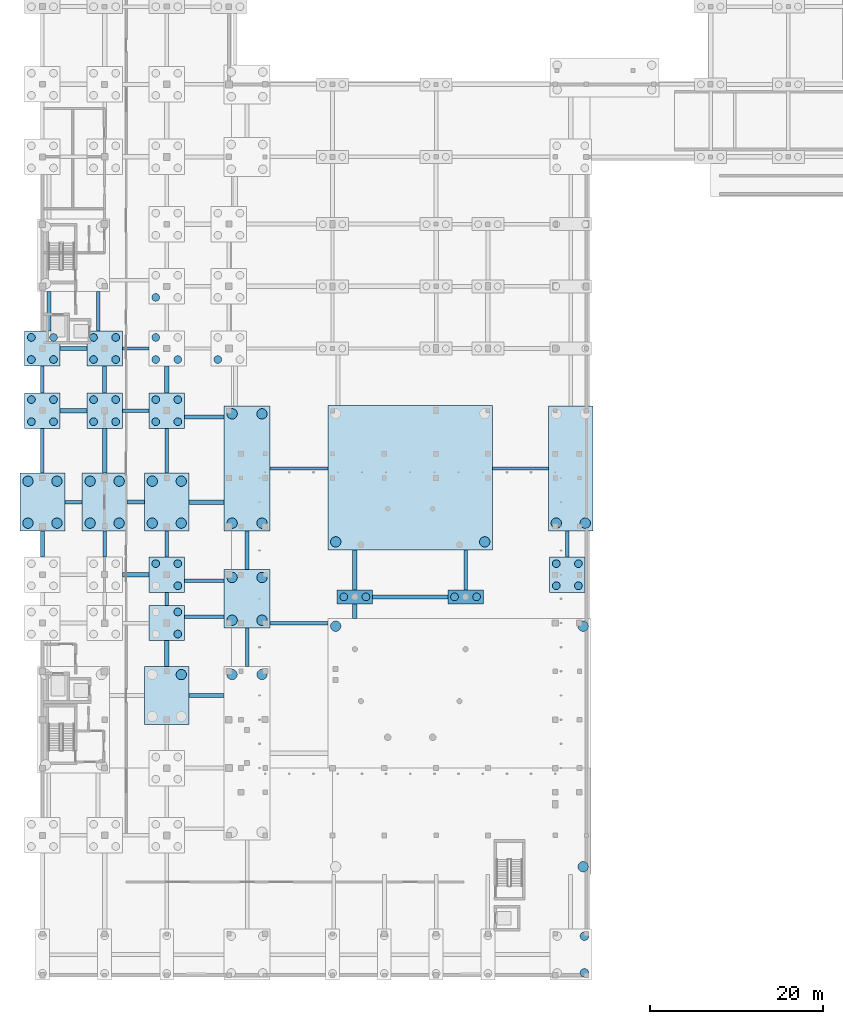
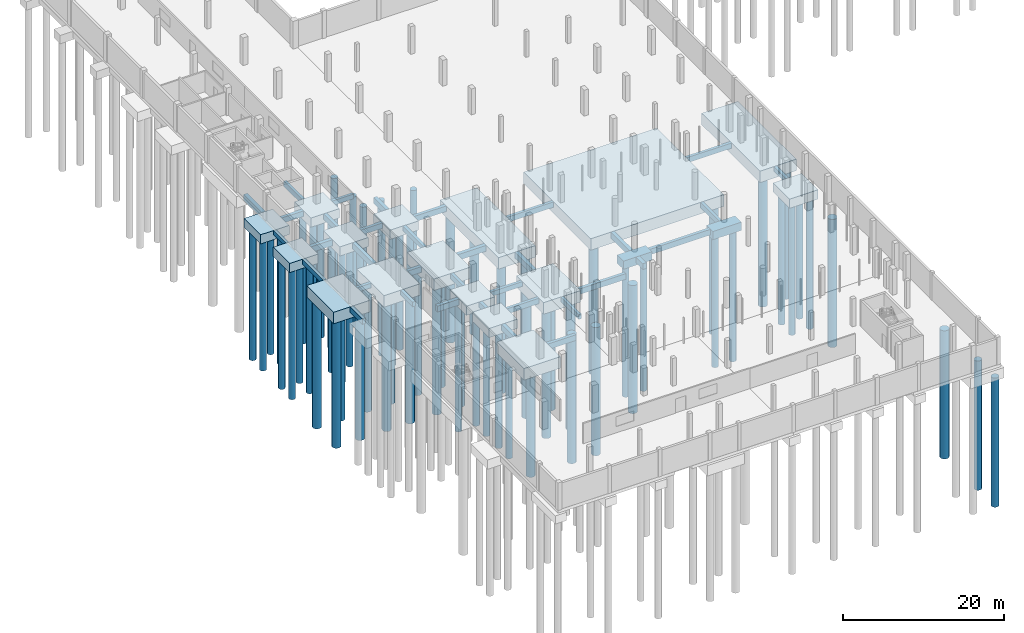
# One storey, part 2 of 34: 70 piles, 53 footings.
"""IFC4 building model written with IfcOpenShell, lengths in metres."""

from ifc_helpers import new_model, si_unit, direction, frame, origin, origin_2d, place, context, subcontext, project, spatial, rectangle, circle, extrude, material, material_profile, profile_set, type_object, element, save


model = new_model("IFC4")

# Units and contexts
model_context = context("Model", 3, precision=1e-05, world=origin(), true_north=direction((0.0, 1.0)))
body_context = subcontext(model_context, "Body", "Model", "MODEL_VIEW")
ifc_project = project(units=[si_unit("LENGTHUNIT", "METRE"), si_unit("AREAUNIT", "SQUARE_METRE"), si_unit("VOLUMEUNIT", "CUBIC_METRE"), si_unit("PLANEANGLEUNIT", "RADIAN"), si_unit("MASSUNIT", "GRAM", prefix="KILO")], contexts=[model_context])

# Site, building, storey
site_placement = place(None, origin())
site = spatial("IfcSite", under=ifc_project, at=site_placement, CompositionType="ELEMENT")
building_placement = place(site_placement, origin())
building = spatial("IfcBuilding", under=site, at=building_placement, Name="Vinh Khe Railworks Police Headquarters", CompositionType="ELEMENT")
storey_placement = place(building_placement, frame((0.0, 0.0, -4.199951171875)))
storey = spatial("IfcBuildingStorey", under=building, at=storey_placement, Name="B1", CompositionType="ELEMENT", Elevation=-4.199951171875)

# Piles
ifc_material = material(Name="Concrete C35/45 (B35)", Category="concrete")
ifc_material_profile_1 = material_profile(ifc_material, circle(Radius=0.5, at=origin_2d()), Name="BORED PILE D1000")
ifc_profile_set_1 = profile_set([ifc_material_profile_1], Name="Concrete C35/45 (B35)")
pile_type_1 = type_object("IfcPileType", Name="Bored Pile D1000", PredefinedType="BORED", material=ifc_profile_set_1)
for number, where, z_axis, x_axis, name in (
    (1, (63.3798828125, 1.469970703125, -1.949951171875), (0.0, 0.0, -1.0), (1.0, 0.0, 0.0), "Bored Pile BP100-235"),
    (2, (63.3798828125, 5.72998046875, -1.949951171875), (0.0, 0.0, -1.0), (1.0, 0.0, 0.0), "Bored Pile BP100-236"),
):
    element("IfcPile", number, at=place(storey_placement, frame(where, z_axis=z_axis, x_axis=x_axis)), inside=storey, type_object=pile_type_1, Name=name, PredefinedType="BORED", context=body_context, shape_type="SweptSolid", body=[
        extrude(circle(Radius=0.5, at=origin_2d()), origin(), (0.0, 0.0, 1.0), 19.60009765625),
    ])
ifc_material_profile_2 = material_profile(ifc_material, circle(Radius=0.60009765625, at=origin_2d()), Name="BORED PILE D1200")
ifc_profile_set_2 = profile_set([ifc_material_profile_2], Name="Concrete C35/45 (B35)")
pile_type_2 = type_object("IfcPileType", Name="Bored Pile D1200", PredefinedType="BORED", material=ifc_profile_set_2)
for number, where, z_axis, x_axis, name in (
    (3, (-1.080078125, 53.570068359375, -2.10009765625), (0.0, 0.0, -1.0), (1.0, 0.0, 0.0), "Bored Pile BP120-019"),
    (4, (-1.080078125, 58.429931640625, -2.10009765625), (0.0, 0.0, -1.0), (1.0, 0.0, 0.0), "Bored Pile BP120-020"),
    (5, (2.280029296875, 53.570068359375, -2.10009765625), (0.0, 0.0, -1.0), (1.0, 0.0, 0.0), "Bored Pile BP120-021"),
    (6, (2.280029296875, 58.429931640625, -2.10009765625), (0.0, 0.0, -1.0), (1.0, 0.0, 0.0), "Bored Pile BP120-022"),
    (7, (6.1201171875, 53.570068359375, -2.10009765625), (0.0, 0.0, -1.0), (1.0, 0.0, 0.0), "Bored Pile BP120-063"),
    (8, (6.1201171875, 58.429931640625, -2.10009765625), (0.0, 0.0, -1.0), (1.0, 0.0, 0.0), "Bored Pile BP120-064"),
    (9, (9.47998046875, 53.570068359375, -2.10009765625), (0.0, 0.0, -1.0), (1.0, 0.0, 0.0), "Bored Pile BP120-065"),
    (10, (9.47998046875, 58.429931640625, -2.10009765625), (0.0, 0.0, -1.0), (1.0, 0.0, 0.0), "Bored Pile BP120-066"),
    (11, (16.679931640625, 36.030029296875, -2.10009765625), (0.0, 0.0, -1.0), (1.0, 0.0, 0.0), "Bored Pile BP120-102"),
    (12, (13.320068359375, 53.570068359375, -2.10009765625), (0.0, 0.0, -1.0), (1.0, 0.0, 0.0), "Bored Pile BP120-111"),
    (13, (13.320068359375, 58.429931640625, -2.10009765625), (0.0, 0.0, -1.0), (1.0, 0.0, 0.0), "Bored Pile BP120-112"),
    (14, (16.679931640625, 53.570068359375, -2.10009765625), (0.0, 0.0, -1.0), (1.0, 0.0, 0.0), "Bored Pile BP120-113"),
    (15, (16.679931640625, 58.429931640625, -2.10009765625), (0.0, 0.0, -1.0), (1.0, 0.0, 0.0), "Bored Pile BP120-114"),
    (16, (22.570068359375, 36.030029296875, -2.10009765625), (0.0, 0.0, -1.0), (1.0, 0.0, 0.0), "Bored Pile BP120-150"),
    (17, (26.030029296875, 36.030029296875, -2.10009765625), (0.0, 0.0, -1.0), (1.0, 0.0, 0.0), "Bored Pile BP120-152"),
    (18, (22.570068359375, 42.320068359375, -2.10009765625), (0.0, 0.0, -1.0), (1.0, 0.0, 0.0), "Bored Pile BP120-153"),
    (19, (22.570068359375, 47.280029296875, -2.10009765625), (0.0, 0.0, -1.0), (1.0, 0.0, 0.0), "Bored Pile BP120-154"),
    (20, (26.030029296875, 42.320068359375, -2.10009765625), (0.0, 0.0, -1.0), (1.0, 0.0, 0.0), "Bored Pile BP120-155"),
    (21, (26.030029296875, 47.280029296875, -2.10009765625), (0.0, 0.0, -1.0), (1.0, 0.0, 0.0), "Bored Pile BP120-156"),
    (22, (22.570068359375, 53.570068359375, -2.10009765625), (0.0, 0.0, -1.0), (1.0, 0.0, 0.0), "Bored Pile BP120-157"),
    (23, (22.570068359375, 66.22998046875, -2.10009765625), (0.0, 0.0, -1.0), (1.0, 0.0, 0.0), "Bored Pile BP120-158"),
    (24, (26.030029296875, 53.570068359375, -2.10009765625), (0.0, 0.0, -1.0), (1.0, 0.0, 0.0), "Bored Pile BP120-159"),
    (25, (26.030029296875, 66.22998046875, -2.10009765625), (0.0, 0.0, -1.0), (1.0, 0.0, 0.0), "Bored Pile BP120-160"),
    (26, (34.570068359375, 41.6298828125, -2.10009765625), (0.0, 0.0, -1.0), (1.0, 0.0, 0.0), "Bored Pile BP120-190"),
    (27, (63.22998046875, 13.77001953125, -2.10009765625), (0.0, 0.0, -1.0), (1.0, 0.0, 0.0), "Bored Pile BP120-191"),
    (28, (63.22998046875, 41.6298828125, -2.10009765625), (0.0, 0.0, -1.0), (1.0, 0.0, 0.0), "Bored Pile BP120-192"),
    (29, (34.570068359375, 51.39794921875, -2.10009765625), (0.0, 0.0, -1.0), (1.0, 0.0, 0.0), "Bored Pile BP120-193"),
    (30, (51.830078125, 51.39794921875, -2.10009765625), (0.0, 0.0, -1.0), (1.0, 0.0, 0.0), "Bored Pile BP120-195"),
    (31, (60.1201171875, 53.570068359375, -2.10009765625), (0.0, 0.0, -1.0), (1.0, 0.0, 0.0), "Bored Pile BP120-241"),
    (32, (63.47998046875, 53.570068359375, -2.10009765625), (0.0, 0.0, -1.0), (1.0, 0.0, 0.0), "Bored Pile BP120-243"),
):
    element("IfcPile", number, at=place(storey_placement, frame(where, z_axis=z_axis, x_axis=x_axis)), inside=storey, type_object=pile_type_2, Name=name, PredefinedType="BORED", context=body_context, shape_type="SweptSolid", body=[
        extrude(circle(Radius=0.60009765625, at=origin_2d()), origin(), (0.0, 0.0, 1.0), 19.449951171875),
    ])
ifc_material_profile_3 = material_profile(ifc_material, circle(Radius=0.449951171875, at=origin_2d()), Name="BORED PILE D900")
ifc_profile_set_3 = profile_set([ifc_material_profile_3], Name="Concrete C35/45 (B35)")
pile_type_3 = type_object("IfcPileType", Name="Bored Pile D900", PredefinedType="BORED", material=ifc_profile_set_3)
for number, where, z_axis, x_axis, name in (
    (33, (-0.679931640625, 65.320068359375, -1.75), (0.0, 0.0, -1.0), (1.0, 0.0, 0.0), "Bored Pile BP90-023"),
    (34, (-0.679931640625, 67.8798828125, -1.75), (0.0, 0.0, -1.0), (1.0, 0.0, 0.0), "Bored Pile BP90-024"),
    (35, (1.8798828125, 65.320068359375, -1.75), (0.0, 0.0, -1.0), (1.0, 0.0, 0.0), "Bored Pile BP90-025"),
    (36, (1.8798828125, 67.8798828125, -1.75), (0.0, 0.0, -1.0), (1.0, 0.0, 0.0), "Bored Pile BP90-026"),
    (37, (-0.679931640625, 72.52001953125, -1.75), (0.0, 0.0, -1.0), (1.0, 0.0, 0.0), "Bored Pile BP90-027"),
    (38, (-0.679931640625, 75.080078125, -1.75), (0.0, 0.0, -1.0), (1.0, 0.0, 0.0), "Bored Pile BP90-028"),
    (39, (1.8798828125, 72.52001953125, -1.75), (0.0, 0.0, -1.0), (1.0, 0.0, 0.0), "Bored Pile BP90-029"),
    (40, (1.8798828125, 75.080078125, -1.75), (0.0, 0.0, -1.0), (1.0, 0.0, 0.0), "Bored Pile BP90-030"),
    (41, (6.52001953125, 65.320068359375, -1.75), (0.0, 0.0, -1.0), (1.0, 0.0, 0.0), "Bored Pile BP90-067"),
    (42, (6.52001953125, 67.8798828125, -1.75), (0.0, 0.0, -1.0), (1.0, 0.0, 0.0), "Bored Pile BP90-068"),
    (43, (9.080078125, 65.320068359375, -1.75), (0.0, 0.0, -1.0), (1.0, 0.0, 0.0), "Bored Pile BP90-069"),
    (44, (9.080078125, 67.8798828125, -1.75), (0.0, 0.0, -1.0), (1.0, 0.0, 0.0), "Bored Pile BP90-070"),
    (45, (6.52001953125, 72.52001953125, -1.75), (0.0, 0.0, -1.0), (1.0, 0.0, 0.0), "Bored Pile BP90-071"),
    (46, (6.52001953125, 75.080078125, -1.75), (0.0, 0.0, -1.0), (1.0, 0.0, 0.0), "Bored Pile BP90-072"),
    (47, (9.080078125, 72.52001953125, -1.75), (0.0, 0.0, -1.0), (1.0, 0.0, 0.0), "Bored Pile BP90-073"),
    (48, (9.080078125, 75.080078125, -1.75), (0.0, 0.0, -1.0), (1.0, 0.0, 0.0), "Bored Pile BP90-074"),
    (49, (16.280029296875, 40.719970703125, -1.75), (0.0, 0.0, -1.0), (1.0, 0.0, 0.0), "Bored Pile BP90-105"),
    (50, (16.280029296875, 43.280029296875, -1.75), (0.0, 0.0, -1.0), (1.0, 0.0, 0.0), "Bored Pile BP90-106"),
    (51, (13.719970703125, 48.8798828125, -1.75), (0.0, 0.0, -1.0), (1.0, 0.0, 0.0), "Bored Pile BP90-108"),
    (52, (16.280029296875, 46.320068359375, -1.75), (0.0, 0.0, -1.0), (1.0, 0.0, 0.0), "Bored Pile BP90-109"),
    (53, (16.280029296875, 48.8798828125, -1.75), (0.0, 0.0, -1.0), (1.0, 0.0, 0.0), "Bored Pile BP90-110"),
    (54, (13.719970703125, 65.320068359375, -1.75), (0.0, 0.0, -1.0), (1.0, 0.0, 0.0), "Bored Pile BP90-115"),
    (55, (13.719970703125, 67.8798828125, -1.75), (0.0, 0.0, -1.0), (1.0, 0.0, 0.0), "Bored Pile BP90-116"),
    (56, (16.280029296875, 65.320068359375, -1.75), (0.0, 0.0, -1.0), (1.0, 0.0, 0.0), "Bored Pile BP90-117"),
    (57, (16.280029296875, 67.8798828125, -1.75), (0.0, 0.0, -1.0), (1.0, 0.0, 0.0), "Bored Pile BP90-118"),
    (58, (13.719970703125, 72.52001953125, -1.75), (0.0, 0.0, -1.0), (1.0, 0.0, 0.0), "Bored Pile BP90-119"),
    (59, (13.719970703125, 75.080078125, -1.75), (0.0, 0.0, -1.0), (1.0, 0.0, 0.0), "Bored Pile BP90-120"),
    (60, (16.280029296875, 72.52001953125, -1.75), (0.0, 0.0, -1.0), (1.0, 0.0, 0.0), "Bored Pile BP90-121"),
    (61, (13.719970703125, 79.719970703125, -1.75), (0.0, 0.0, -1.0), (1.0, 0.0, 0.0), "Bored Pile BP90-123"),
    (62, (20.919921875, 72.52001953125, -1.75), (0.0, 0.0, -1.0), (1.0, 0.0, 0.0), "Bored Pile BP90-161"),
):
    element("IfcPile", number, at=place(storey_placement, frame(where, z_axis=z_axis, x_axis=x_axis)), inside=storey, type_object=pile_type_3, Name=name, PredefinedType="BORED", context=body_context, shape_type="SweptSolid", body=[
        extrude(circle(Radius=0.449951171875, at=origin_2d()), origin(), (0.0, 0.0, 1.0), 19.800048828125),
    ])
for number, where, z_axis, x_axis, name in (
    (63, (35.507568359375, 45.031982421875, -1.60009765625), (0.0, 0.0, -1.0), (1.0, 0.0, 0.0), "Bored Pile BP90-207"),
    (64, (38.067626953125, 45.031982421875, -1.60009765625), (0.0, 0.0, -1.0), (1.0, 0.0, 0.0), "Bored Pile BP90-208"),
    (65, (48.33251953125, 45.031982421875, -1.60009765625), (0.0, 0.0, -1.0), (1.0, 0.0, 0.0), "Bored Pile BP90-223"),
    (66, (50.892333984375, 45.031982421875, -1.60009765625), (0.0, 0.0, -1.0), (1.0, 0.0, 0.0), "Bored Pile BP90-224"),
):
    element("IfcPile", number, at=place(storey_placement, frame(where, z_axis=z_axis, x_axis=x_axis)), inside=storey, type_object=pile_type_3, Name=name, PredefinedType="BORED", context=body_context, shape_type="SweptSolid", body=[
        extrude(circle(Radius=0.449951171875, at=origin_2d()), origin(), (0.0, 0.0, 1.0), 19.949951171875),
    ])
for number, where, z_axis, x_axis, name in (
    (67, (60.1201171875, 46.320068359375, -1.75), (0.0, 0.0, -1.0), (1.0, 0.0, 0.0), "Bored Pile BP90-237"),
    (68, (60.1201171875, 48.8798828125, -1.75), (0.0, 0.0, -1.0), (1.0, 0.0, 0.0), "Bored Pile BP90-238"),
    (69, (62.679931640625, 46.320068359375, -1.75), (0.0, 0.0, -1.0), (1.0, 0.0, 0.0), "Bored Pile BP90-239"),
    (70, (62.679931640625, 48.8798828125, -1.75), (0.0, 0.0, -1.0), (1.0, 0.0, 0.0), "Bored Pile BP90-240"),
):
    element("IfcPile", number, at=place(storey_placement, frame(where, z_axis=z_axis, x_axis=x_axis)), inside=storey, type_object=pile_type_3, Name=name, PredefinedType="BORED", context=body_context, shape_type="SweptSolid", body=[
        extrude(circle(Radius=0.449951171875, at=origin_2d()), origin(), (0.0, 0.0, 1.0), 19.800048828125),
    ])

# Footings
ifc_material_profile_4 = material_profile(ifc_material, rectangle(XDim=0.39990234375, YDim=0.699951171875, at=origin_2d()), Name="RC 400x700")
ifc_profile_set_4 = profile_set([ifc_material_profile_4], Name="Concrete C35/45 (B35)")
footing_type_1 = type_object("IfcFootingType", Name="Ground Tie Beam 400x700", PredefinedType="FOOTING_BEAM", material=ifc_profile_set_4)
footing_1_placement = place(storey_placement, frame((3.199951171875, 56.0, -0.800048828125), z_axis=(1.0, 0.0, 0.0), x_axis=(0.0, 1.0, 0.0)))
element("IfcFooting", 71, at=footing_1_placement, inside=storey, type_object=footing_type_1, Name="Ground Tie Beam FTG-GB-B1-X011", PredefinedType="FOOTING_BEAM", context=body_context, shape_type="SweptSolid", body=[
    extrude(rectangle(XDim=0.39990234375, YDim=0.699951171875, at=origin_2d()), origin(), (0.0, 0.0, 1.0), 2.0),
])
footing_2_placement = place(storey_placement, frame((0.60009765625, 68.64990234375, -0.800048828125), z_axis=(0.0, 1.0, 0.0), x_axis=(-1.0, 0.0, 0.0)))
element("IfcFooting", 72, at=footing_2_placement, inside=storey, type_object=footing_type_1, Name="Ground Tie Beam FTG-GB-B1-Y014", PredefinedType="FOOTING_BEAM", context=body_context, shape_type="SweptSolid", body=[
    extrude(rectangle(XDim=0.39990234375, YDim=0.699951171875, at=origin_2d()), origin(), (0.0, 0.0, 1.0), 3.10009765625),
])
footing_3_placement = place(storey_placement, frame((7.800048828125, 49.64990234375, -0.800048828125), z_axis=(0.0, 1.0, 0.0), x_axis=(-1.0, 0.0, 0.0)))
element("IfcFooting", 73, at=footing_3_placement, inside=storey, type_object=footing_type_1, Name="Ground Tie Beam FTG-GB-B1-Y035", PredefinedType="FOOTING_BEAM", context=body_context, shape_type="SweptSolid", body=[
    extrude(rectangle(XDim=0.39990234375, YDim=0.699951171875, at=origin_2d()), origin(), (0.0, 0.0, 1.0), 3.0),
])
footing_4_placement = place(storey_placement, frame((9.85009765625, 73.800048828125, -0.800048828125), z_axis=(1.0, 0.0, 0.0), x_axis=(0.0, 1.0, 0.0)))
element("IfcFooting", 74, at=footing_4_placement, inside=storey, type_object=footing_type_1, Name="Ground Tie Beam FTG-GB-B1-X040", PredefinedType="FOOTING_BEAM", context=body_context, shape_type="SweptSolid", body=[
    extrude(rectangle(XDim=0.39990234375, YDim=0.699951171875, at=origin_2d()), origin(), (0.0, 0.0, 1.0), 3.099853515625),
])
footing_5_placement = place(storey_placement, frame((17.050048828125, 46.875, -0.800048828125), z_axis=(1.0, 0.0, 0.0), x_axis=(0.0, 1.0, 0.0)))
element("IfcFooting", 75, at=footing_5_placement, inside=storey, type_object=footing_type_1, Name="Ground Tie Beam FTG-GB-B1-X061", PredefinedType="FOOTING_BEAM", context=body_context, shape_type="SweptSolid", body=[
    extrude(rectangle(XDim=0.39990234375, YDim=0.699951171875, at=origin_2d()), origin(), (0.0, 0.0, 1.0), 4.599853515625),
])
footing_6_placement = place(storey_placement, frame((15.0, 59.35009765625, -0.800048828125), z_axis=(0.0, 1.0, 0.0), x_axis=(-1.0, 0.0, 0.0)))
element("IfcFooting", 76, at=footing_6_placement, inside=storey, type_object=footing_type_1, Name="Ground Tie Beam FTG-GB-B1-Y064", PredefinedType="FOOTING_BEAM", context=body_context, shape_type="SweptSolid", body=[
    extrude(rectangle(XDim=0.39990234375, YDim=0.699951171875, at=origin_2d()), origin(), (0.0, 0.0, 1.0), 5.199951171875),
])
footing_7_placement = place(storey_placement, frame((24.300048828125, 36.949951171875, -0.800048828125), z_axis=(0.0, 1.0, 0.0), x_axis=(-1.0, 0.0, 0.0)))
element("IfcFooting", 77, at=footing_7_placement, inside=storey, type_object=footing_type_1, Name="Ground Tie Beam FTG-GB-B1-Y085", PredefinedType="FOOTING_BEAM", context=body_context, shape_type="SweptSolid", body=[
    extrude(rectangle(XDim=0.39990234375, YDim=0.699951171875, at=origin_2d()), origin(), (0.0, 0.0, 1.0), 4.449951171875),
])
footing_8_placement = place(storey_placement, frame((61.39990234375, 49.64990234375, -0.800048828125), z_axis=(0.0, 1.0, 0.0), x_axis=(-1.0, 0.0, 0.0)))
element("IfcFooting", 78, at=footing_8_placement, inside=storey, type_object=footing_type_1, Name="Ground Tie Beam FTG-GB-B1-Y140", PredefinedType="FOOTING_BEAM", context=body_context, shape_type="SweptSolid", body=[
    extrude(rectangle(XDim=0.39990234375, YDim=0.699951171875, at=origin_2d()), origin(), (0.0, 0.0, 1.0), 3.0),
])
ifc_material_profile_5 = material_profile(ifc_material, rectangle(XDim=0.39990234375, YDim=0.800048828125, at=origin_2d()), Name="RC 400x800")
ifc_profile_set_5 = profile_set([ifc_material_profile_5], Name="Concrete C35/45 (B35)")
footing_type_2 = type_object("IfcFootingType", Name="Ground Tie Beam 400x800", PredefinedType="FOOTING_BEAM", material=ifc_profile_set_5)
footing_9_placement = place(storey_placement, frame((0.60009765625, 59.35009765625, -0.85009765625), z_axis=(0.0, 1.0, 0.0), x_axis=(-1.0, 0.0, 0.0)))
element("IfcFooting", 79, at=footing_9_placement, inside=storey, type_object=footing_type_2, Name="Ground Tie Beam FTG-GB-B1-Y012", PredefinedType="FOOTING_BEAM", context=body_context, shape_type="SweptSolid", body=[
    extrude(rectangle(XDim=0.39990234375, YDim=0.800048828125, at=origin_2d()), origin(), (0.0, 0.0, 1.0), 5.199951171875),
])
footing_10_placement = place(storey_placement, frame((9.85009765625, 66.60009765625, -0.85009765625), z_axis=(1.0, 0.0, 0.0), x_axis=(0.0, 1.0, 0.0)))
element("IfcFooting", 80, at=footing_10_placement, inside=storey, type_object=footing_type_2, Name="Ground Tie Beam FTG-GB-B1-X038", PredefinedType="FOOTING_BEAM", context=body_context, shape_type="SweptSolid", body=[
    extrude(rectangle(XDim=0.39990234375, YDim=0.800048828125, at=origin_2d()), origin(), (0.0, 0.0, 1.0), 3.099853515625),
])
footing_11_placement = place(storey_placement, frame((7.050048828125, 75.85009765625, -0.85009765625), z_axis=(0.0, 1.0, 0.0), x_axis=(-1.0, 0.0, 0.0)))
element("IfcFooting", 81, at=footing_11_placement, inside=storey, type_object=footing_type_2, Name="Ground Tie Beam FTG-GB-B1-Y041", PredefinedType="FOOTING_BEAM", context=body_context, shape_type="SweptSolid", body=[
    extrude(rectangle(XDim=0.39990234375, YDim=0.800048828125, at=origin_2d()), origin(), (0.0, 0.0, 1.0), 4.5498046875),
])
footing_12_placement = place(storey_placement, frame((17.050048828125, 42.72509765625, -0.85009765625), z_axis=(1.0, 0.0, 0.0), x_axis=(0.0, 1.0, 0.0)))
element("IfcFooting", 82, at=footing_12_placement, inside=storey, type_object=footing_type_2, Name="Ground Tie Beam FTG-GB-B1-X059", PredefinedType="FOOTING_BEAM", context=body_context, shape_type="SweptSolid", body=[
    extrude(rectangle(XDim=0.39990234375, YDim=0.800048828125, at=origin_2d()), origin(), (0.0, 0.0, 1.0), 4.599853515625),
])
footing_13_placement = place(storey_placement, frame((15.0, 49.64990234375, -0.85009765625), z_axis=(0.0, 1.0, 0.0), x_axis=(-1.0, 0.0, 0.0)))
element("IfcFooting", 83, at=footing_13_placement, inside=storey, type_object=footing_type_2, Name="Ground Tie Beam FTG-GB-B1-Y062", PredefinedType="FOOTING_BEAM", context=body_context, shape_type="SweptSolid", body=[
    extrude(rectangle(XDim=0.39990234375, YDim=0.800048828125, at=origin_2d()), origin(), (0.0, 0.0, 1.0), 3.0),
])
footing_14_placement = place(storey_placement, frame((26.949951171875, 59.89990234375, -0.85009765625), z_axis=(1.0, 0.0, 0.0), x_axis=(0.0, 1.0, 0.0)))
element("IfcFooting", 84, at=footing_14_placement, inside=storey, type_object=footing_type_2, Name="Ground Tie Beam FTG-GB-B1-X088", PredefinedType="FOOTING_BEAM", context=body_context, shape_type="SweptSolid", body=[
    extrude(rectangle(XDim=0.39990234375, YDim=0.800048828125, at=origin_2d()), origin(), (0.0, 0.0, 1.0), 6.699951171875),
])
footing_15_placement = place(storey_placement, frame((52.75, 59.89990234375, -0.85009765625), z_axis=(1.0, 0.0, 0.0), x_axis=(0.0, 1.0, 0.0)))
element("IfcFooting", 85, at=footing_15_placement, inside=storey, type_object=footing_type_2, Name="Ground Tie Beam FTG-GB-B1-X105", PredefinedType="FOOTING_BEAM", context=body_context, shape_type="SweptSolid", body=[
    extrude(rectangle(XDim=0.39990234375, YDim=0.800048828125, at=origin_2d()), origin(), (0.0, 0.0, 1.0), 6.449951171875),
])
footing_16_placement = place(storey_placement, frame((49.6123046875, 45.83203125, -0.85009765625), z_axis=(0.0, 1.0, 0.0), x_axis=(-1.0, 0.0, 0.0)))
element("IfcFooting", 86, at=footing_16_placement, inside=storey, type_object=footing_type_2, Name="Ground Tie Beam FTG-GB-B1-Y131", PredefinedType="FOOTING_BEAM", context=body_context, shape_type="SweptSolid", body=[
    extrude(rectangle(XDim=0.39990234375, YDim=0.800048828125, at=origin_2d()), origin(), (0.0, 0.0, 1.0), 4.64599609375),
])
ifc_material_profile_6 = material_profile(ifc_material, rectangle(XDim=0.449951171875, YDim=0.85009765625, at=origin_2d()), Name="RC 450x850")
ifc_profile_set_6 = profile_set([ifc_material_profile_6], Name="Concrete C35/45 (B35)")
footing_type_3 = type_object("IfcFootingType", Name="Ground Tie Beam 450x850", PredefinedType="FOOTING_BEAM", material=ifc_profile_set_6)
footing_17_placement = place(storey_placement, frame((0.60009765625, 49.64990234375, -0.875), z_axis=(0.0, 1.0, 0.0), x_axis=(-1.0, 0.0, 0.0)))
element("IfcFooting", 87, at=footing_17_placement, inside=storey, type_object=footing_type_3, Name="Ground Tie Beam FTG-GB-B1-Y010", PredefinedType="FOOTING_BEAM", context=body_context, shape_type="SweptSolid", body=[
    extrude(rectangle(XDim=0.449951171875, YDim=0.85009765625, at=origin_2d()), origin(), (0.0, 0.0, 1.0), 3.0),
])
footing_18_placement = place(storey_placement, frame((2.64990234375, 73.800048828125, -0.875), z_axis=(1.0, 0.0, 0.0), x_axis=(0.0, 1.0, 0.0)))
element("IfcFooting", 88, at=footing_18_placement, inside=storey, type_object=footing_type_3, Name="Ground Tie Beam FTG-GB-B1-X015", PredefinedType="FOOTING_BEAM", context=body_context, shape_type="SweptSolid", body=[
    extrude(rectangle(XDim=0.449951171875, YDim=0.85009765625, at=origin_2d()), origin(), (0.0, 0.0, 1.0), 3.10009765625),
])
footing_19_placement = place(storey_placement, frame((10.39990234375, 56.0, -0.875), z_axis=(1.0, 0.0, 0.0), x_axis=(0.0, 1.0, 0.0)))
element("IfcFooting", 89, at=footing_19_placement, inside=storey, type_object=footing_type_3, Name="Ground Tie Beam FTG-GB-B1-X036", PredefinedType="FOOTING_BEAM", context=body_context, shape_type="SweptSolid", body=[
    extrude(rectangle(XDim=0.449951171875, YDim=0.85009765625, at=origin_2d()), origin(), (0.0, 0.0, 1.0), 2.0),
])
footing_20_placement = place(storey_placement, frame((7.800048828125, 68.64990234375, -0.875), z_axis=(0.0, 1.0, 0.0), x_axis=(-1.0, 0.0, 0.0)))
element("IfcFooting", 90, at=footing_20_placement, inside=storey, type_object=footing_type_3, Name="Ground Tie Beam FTG-GB-B1-Y039", PredefinedType="FOOTING_BEAM", context=body_context, shape_type="SweptSolid", body=[
    extrude(rectangle(XDim=0.449951171875, YDim=0.85009765625, at=origin_2d()), origin(), (0.0, 0.0, 1.0), 3.10009765625),
])
footing_21_placement = place(storey_placement, frame((17.60009765625, 33.60009765625, -0.875), z_axis=(1.0, 0.0, 0.0), x_axis=(0.0, 1.0, 0.0)))
element("IfcFooting", 91, at=footing_21_placement, inside=storey, type_object=footing_type_3, Name="Ground Tie Beam FTG-GB-B1-X057", PredefinedType="FOOTING_BEAM", context=body_context, shape_type="SweptSolid", body=[
    extrude(rectangle(XDim=0.449951171875, YDim=0.85009765625, at=origin_2d()), origin(), (0.0, 0.0, 1.0), 4.0498046875),
])
footing_22_placement = place(storey_placement, frame((15.0, 44.050048828125, -0.875), z_axis=(0.0, 1.0, 0.0), x_axis=(-1.0, 0.0, 0.0)))
element("IfcFooting", 92, at=footing_22_placement, inside=storey, type_object=footing_type_3, Name="Ground Tie Beam FTG-GB-B1-Y060", PredefinedType="FOOTING_BEAM", context=body_context, shape_type="SweptSolid", body=[
    extrude(rectangle(XDim=0.449951171875, YDim=0.85009765625, at=origin_2d()), origin(), (0.0, 0.0, 1.0), 1.5),
])
footing_23_placement = place(storey_placement, frame((17.050048828125, 65.85009765625, -0.875), z_axis=(1.0, 0.0, 0.0), x_axis=(0.0, 1.0, 0.0)))
element("IfcFooting", 93, at=footing_23_placement, inside=storey, type_object=footing_type_3, Name="Ground Tie Beam FTG-GB-B1-X065", PredefinedType="FOOTING_BEAM", context=body_context, shape_type="SweptSolid", body=[
    extrude(rectangle(XDim=0.449951171875, YDim=0.85009765625, at=origin_2d()), origin(), (0.0, 0.0, 1.0), 4.599853515625),
])
footing_24_placement = place(storey_placement, frame((26.949951171875, 41.97509765625, -0.875), z_axis=(1.0, 0.0, 0.0), x_axis=(0.0, 1.0, 0.0)))
element("IfcFooting", 94, at=footing_24_placement, inside=storey, type_object=footing_type_3, Name="Ground Tie Beam FTG-GB-B1-X086", PredefinedType="FOOTING_BEAM", context=body_context, shape_type="SweptSolid", body=[
    extrude(rectangle(XDim=0.449951171875, YDim=0.85009765625, at=origin_2d()), origin(), (0.0, 0.0, 1.0), 6.699951171875),
])
footing_25_placement = place(storey_placement, frame((38.837646484375, 45.031982421875, -0.875), z_axis=(1.0, 0.0, 0.0), x_axis=(0.0, 1.0, 0.0)))
element("IfcFooting", 95, at=footing_25_placement, inside=storey, type_object=footing_type_3, Name="Ground Tie Beam FTG-GB-B1-X116", PredefinedType="FOOTING_BEAM", context=body_context, shape_type="SweptSolid", body=[
    extrude(rectangle(XDim=0.449951171875, YDim=0.85009765625, at=origin_2d()), origin(), (0.0, 0.0, 1.0), 8.724853515625),
])
ifc_material_profile_7 = material_profile(ifc_material, rectangle(XDim=0.5, YDim=0.89990234375, at=origin_2d()), Name="RC 500x900")
ifc_profile_set_7 = profile_set([ifc_material_profile_7], Name="Concrete C35/45 (B35)")
footing_type_4 = type_object("IfcFootingType", Name="Ground Tie Beam 500x900", PredefinedType="FOOTING_BEAM", material=ifc_profile_set_7)
footing_26_placement = place(storey_placement, frame((2.64990234375, 66.60009765625, -0.900146484375), z_axis=(1.0, 0.0, 0.0), x_axis=(0.0, 1.0, 0.0)))
element("IfcFooting", 96, at=footing_26_placement, inside=storey, type_object=footing_type_4, Name="Ground Tie Beam FTG-GB-B1-X013", PredefinedType="FOOTING_BEAM", context=body_context, shape_type="SweptSolid", body=[
    extrude(rectangle(XDim=0.5, YDim=0.89990234375, at=origin_2d()), origin(), (0.0, 0.0, 1.0), 3.10009765625),
])
footing_27_placement = place(storey_placement, frame((1.35009765625, 75.85009765625, -0.900146484375), z_axis=(0.0, 1.0, 0.0), x_axis=(-1.0, 0.0, 0.0)))
element("IfcFooting", 97, at=footing_27_placement, inside=storey, type_object=footing_type_4, Name="Ground Tie Beam FTG-GB-B1-Y016", PredefinedType="FOOTING_BEAM", context=body_context, shape_type="SweptSolid", body=[
    extrude(rectangle(XDim=0.5, YDim=0.89990234375, at=origin_2d()), origin(), (0.0, 0.0, 1.0), 4.5498046875),
])
footing_28_placement = place(storey_placement, frame((9.85009765625, 47.60009765625, -0.900146484375), z_axis=(1.0, 0.0, 0.0), x_axis=(0.0, 1.0, 0.0)))
element("IfcFooting", 98, at=footing_28_placement, inside=storey, type_object=footing_type_4, Name="Ground Tie Beam FTG-GB-B1-X034", PredefinedType="FOOTING_BEAM", context=body_context, shape_type="SweptSolid", body=[
    extrude(rectangle(XDim=0.5, YDim=0.89990234375, at=origin_2d()), origin(), (0.0, 0.0, 1.0), 3.099853515625),
])
footing_29_placement = place(storey_placement, frame((7.800048828125, 59.35009765625, -0.900146484375), z_axis=(0.0, 1.0, 0.0), x_axis=(-1.0, 0.0, 0.0)))
element("IfcFooting", 99, at=footing_29_placement, inside=storey, type_object=footing_type_4, Name="Ground Tie Beam FTG-GB-B1-Y037", PredefinedType="FOOTING_BEAM", context=body_context, shape_type="SweptSolid", body=[
    extrude(rectangle(XDim=0.5, YDim=0.89990234375, at=origin_2d()), origin(), (0.0, 0.0, 1.0), 5.199951171875),
])
footing_30_placement = place(storey_placement, frame((15.0, 36.949951171875, -0.900146484375), z_axis=(0.0, 1.0, 0.0), x_axis=(-1.0, 0.0, 0.0)))
element("IfcFooting", 100, at=footing_30_placement, inside=storey, type_object=footing_type_4, Name="Ground Tie Beam FTG-GB-B1-Y058", PredefinedType="FOOTING_BEAM", context=body_context, shape_type="SweptSolid", body=[
    extrude(rectangle(XDim=0.5, YDim=0.89990234375, at=origin_2d()), origin(), (0.0, 0.0, 1.0), 3.0),
])
footing_31_placement = place(storey_placement, frame((17.60009765625, 56.0, -0.900146484375), z_axis=(1.0, 0.0, 0.0), x_axis=(0.0, 1.0, 0.0)))
element("IfcFooting", 101, at=footing_31_placement, inside=storey, type_object=footing_type_4, Name="Ground Tie Beam FTG-GB-B1-X063", PredefinedType="FOOTING_BEAM", context=body_context, shape_type="SweptSolid", body=[
    extrude(rectangle(XDim=0.5, YDim=0.89990234375, at=origin_2d()), origin(), (0.0, 0.0, 1.0), 4.0498046875),
])
footing_32_placement = place(storey_placement, frame((15.0, 68.64990234375, -0.900146484375), z_axis=(0.0, 1.0, 0.0), x_axis=(-1.0, 0.0, 0.0)))
element("IfcFooting", 102, at=footing_32_placement, inside=storey, type_object=footing_type_4, Name="Ground Tie Beam FTG-GB-B1-Y066", PredefinedType="FOOTING_BEAM", context=body_context, shape_type="SweptSolid", body=[
    extrude(rectangle(XDim=0.5, YDim=0.89990234375, at=origin_2d()), origin(), (0.0, 0.0, 1.0), 3.10009765625),
])
footing_33_placement = place(storey_placement, frame((24.300048828125, 48.199951171875, -0.900146484375), z_axis=(0.0, 1.0, 0.0), x_axis=(-1.0, 0.0, 0.0)))
element("IfcFooting", 103, at=footing_33_placement, inside=storey, type_object=footing_type_4, Name="Ground Tie Beam FTG-GB-B1-Y087", PredefinedType="FOOTING_BEAM", context=body_context, shape_type="SweptSolid", body=[
    extrude(rectangle(XDim=0.5, YDim=0.89990234375, at=origin_2d()), origin(), (0.0, 0.0, 1.0), 4.449951171875),
])
footing_34_placement = place(storey_placement, frame((36.78759765625, 42.550048828125, -0.900146484375), z_axis=(0.0, 1.0, 0.0), x_axis=(-1.0, 0.0, 0.0)))
element("IfcFooting", 104, at=footing_34_placement, inside=storey, type_object=footing_type_4, Name="Ground Tie Beam FTG-GB-B1-Y104", PredefinedType="FOOTING_BEAM", context=body_context, shape_type="SweptSolid", body=[
    extrude(rectangle(XDim=0.5, YDim=0.89990234375, at=origin_2d()), origin(), (0.0, 0.0, 1.0), 1.68212890625),
])
footing_35_placement = place(storey_placement, frame((36.78759765625, 45.83203125, -0.900146484375), z_axis=(0.0, 1.0, 0.0), x_axis=(-1.0, 0.0, 0.0)))
element("IfcFooting", 105, at=footing_35_placement, inside=storey, type_object=footing_type_4, Name="Ground Tie Beam FTG-GB-B1-Y117", PredefinedType="FOOTING_BEAM", context=body_context, shape_type="SweptSolid", body=[
    extrude(rectangle(XDim=0.5, YDim=0.89990234375, at=origin_2d()), origin(), (0.0, 0.0, 1.0), 4.64599609375),
])
footing_type_5 = type_object("IfcFootingType", Name="Pile Cap 19100x16700x1750", PredefinedType="PILE_CAP", material=ifc_material)
footing_36_placement = place(storey_placement, frame((43.199951171875, 58.827880859375, -2.199951171875), z_axis=(0.0, 0.0, 1.0), x_axis=(1.0, 0.0, 0.0)))
element("IfcFooting", 106, at=footing_36_placement, inside=storey, type_object=footing_type_5, Name="Pile Cap PC-057", PredefinedType="PILE_CAP", context=body_context, shape_type="SweptSolid", body=[
    extrude(rectangle(XDim=19.10009765625, YDim=16.699951171875, at=origin_2d()), origin(), (0.0, 0.0, 1.0), 1.75),
])
footing_type_6 = type_object("IfcFootingType", Name="Pile Cap 4100x1600x1250", PredefinedType="PILE_CAP", material=ifc_material)
for number, where, z_axis, x_axis, name in (
    (107, (36.78759765625, 45.031982421875, -1.699951171875), (0.0, 0.0, 1.0), (1.0, 0.0, 0.0), "Pile Cap PC-063"),
    (108, (49.6123046875, 45.031982421875, -1.699951171875), (0.0, 0.0, 1.0), (1.0, 0.0, 0.0), "Pile Cap PC-071"),
):
    element("IfcFooting", number, at=place(storey_placement, frame(where, z_axis=z_axis, x_axis=x_axis)), inside=storey, type_object=footing_type_6, Name=name, PredefinedType="PILE_CAP", context=body_context, shape_type="SweptSolid", body=[
        extrude(rectangle(XDim=4.10009765625, YDim=1.60009765625, at=origin_2d()), origin(), (0.0, 0.0, 1.0), 1.25),
    ])
footing_type_7 = type_object("IfcFootingType", Name="Pile Cap 4100x4100x1400", PredefinedType="PILE_CAP", material=ifc_material)
for number, where, z_axis, x_axis, name in (
    (109, (0.60009765625, 66.60009765625, -1.85009765625), (0.0, 0.0, 1.0), (1.0, 0.0, 0.0), "Pile Cap PC-007"),
    (110, (0.60009765625, 73.800048828125, -1.85009765625), (0.0, 0.0, 1.0), (1.0, 0.0, 0.0), "Pile Cap PC-008"),
    (111, (7.800048828125, 66.60009765625, -1.85009765625), (0.0, 0.0, 1.0), (1.0, 0.0, 0.0), "Pile Cap PC-020"),
    (112, (7.800048828125, 73.800048828125, -1.85009765625), (0.0, 0.0, 1.0), (1.0, 0.0, 0.0), "Pile Cap PC-021"),
    (113, (15.0, 42.0, -1.85009765625), (0.0, 0.0, 1.0), (1.0, 0.0, 0.0), "Pile Cap PC-031"),
    (114, (15.0, 47.60009765625, -1.85009765625), (0.0, 0.0, 1.0), (1.0, 0.0, 0.0), "Pile Cap PC-032"),
    (115, (15.0, 66.60009765625, -1.85009765625), (0.0, 0.0, 1.0), (1.0, 0.0, 0.0), "Pile Cap PC-034"),
    (116, (61.39990234375, 47.60009765625, -1.85009765625), (0.0, 0.0, 1.0), (1.0, 0.0, 0.0), "Pile Cap PC-077"),
):
    element("IfcFooting", number, at=place(storey_placement, frame(where, z_axis=z_axis, x_axis=x_axis)), inside=storey, type_object=footing_type_7, Name=name, PredefinedType="PILE_CAP", context=body_context, shape_type="SweptSolid", body=[
        extrude(rectangle(XDim=4.10009765625, YDim=4.10009765625, at=origin_2d()), origin(), (0.0, 0.0, 1.0), 1.39990234375),
    ])
footing_type_8 = type_object("IfcFootingType", Name="Pile Cap 5200x14500x1750", PredefinedType="PILE_CAP", material=ifc_material)
footing_37_placement = place(storey_placement, frame((61.800048828125, 59.89990234375, -2.199951171875), z_axis=(0.0, 0.0, 1.0), x_axis=(1.0, 0.0, 0.0)))
element("IfcFooting", 117, at=footing_37_placement, inside=storey, type_object=footing_type_8, Name="Pile Cap PC-078", PredefinedType="PILE_CAP", context=body_context, shape_type="SweptSolid", body=[
    extrude(rectangle(XDim=5.199951171875, YDim=14.5, at=origin_2d()), origin(), (0.0, 0.0, 1.0), 1.75),
])
footing_type_9 = type_object("IfcFootingType", Name="Pile Cap 5200x6700x1750", PredefinedType="PILE_CAP", material=ifc_material)
for number, where, z_axis, x_axis, name in (
    (118, (0.60009765625, 56.0, -2.199951171875), (0.0, 0.0, 1.0), (1.0, 0.0, 0.0), "Pile Cap PC-006"),
    (119, (7.800048828125, 56.0, -2.199951171875), (0.0, 0.0, 1.0), (1.0, 0.0, 0.0), "Pile Cap PC-019"),
    (120, (15.0, 33.60009765625, -2.199951171875), (0.0, 0.0, 1.0), (1.0, 0.0, 0.0), "Pile Cap PC-030"),
    (121, (15.0, 56.0, -2.199951171875), (0.0, 0.0, 1.0), (1.0, 0.0, 0.0), "Pile Cap PC-033"),
):
    element("IfcFooting", number, at=place(storey_placement, frame(where, z_axis=z_axis, x_axis=x_axis)), inside=storey, type_object=footing_type_9, Name=name, PredefinedType="PILE_CAP", context=body_context, shape_type="SweptSolid", body=[
        extrude(rectangle(XDim=5.199951171875, YDim=6.699951171875, at=origin_2d()), origin(), (0.0, 0.0, 1.0), 1.75),
    ])
footing_type_10 = type_object("IfcFootingType", Name="Pile Cap 5300x14500x1750", PredefinedType="PILE_CAP", material=ifc_material)
footing_38_placement = place(storey_placement, frame((24.300048828125, 59.89990234375, -2.199951171875), z_axis=(0.0, 0.0, 1.0), x_axis=(1.0, 0.0, 0.0)))
element("IfcFooting", 122, at=footing_38_placement, inside=storey, type_object=footing_type_10, Name="Pile Cap PC-046", PredefinedType="PILE_CAP", context=body_context, shape_type="SweptSolid", body=[
    extrude(rectangle(XDim=5.300048828125, YDim=14.5, at=origin_2d()), origin(), (0.0, 0.0, 1.0), 1.75),
])
footing_type_11 = type_object("IfcFootingType", Name="Pile Cap 5300x6800x1750", PredefinedType="PILE_CAP", material=ifc_material)
footing_39_placement = place(storey_placement, frame((24.300048828125, 44.800048828125, -2.199951171875), z_axis=(0.0, 0.0, 1.0), x_axis=(1.0, 0.0, 0.0)))
element("IfcFooting", 123, at=footing_39_placement, inside=storey, type_object=footing_type_11, Name="Pile Cap PC-045", PredefinedType="PILE_CAP", context=body_context, shape_type="SweptSolid", body=[
    extrude(rectangle(XDim=5.300048828125, YDim=6.800048828125, at=origin_2d()), origin(), (0.0, 0.0, 1.0), 1.75),
])

save(model, "model.ifc")
